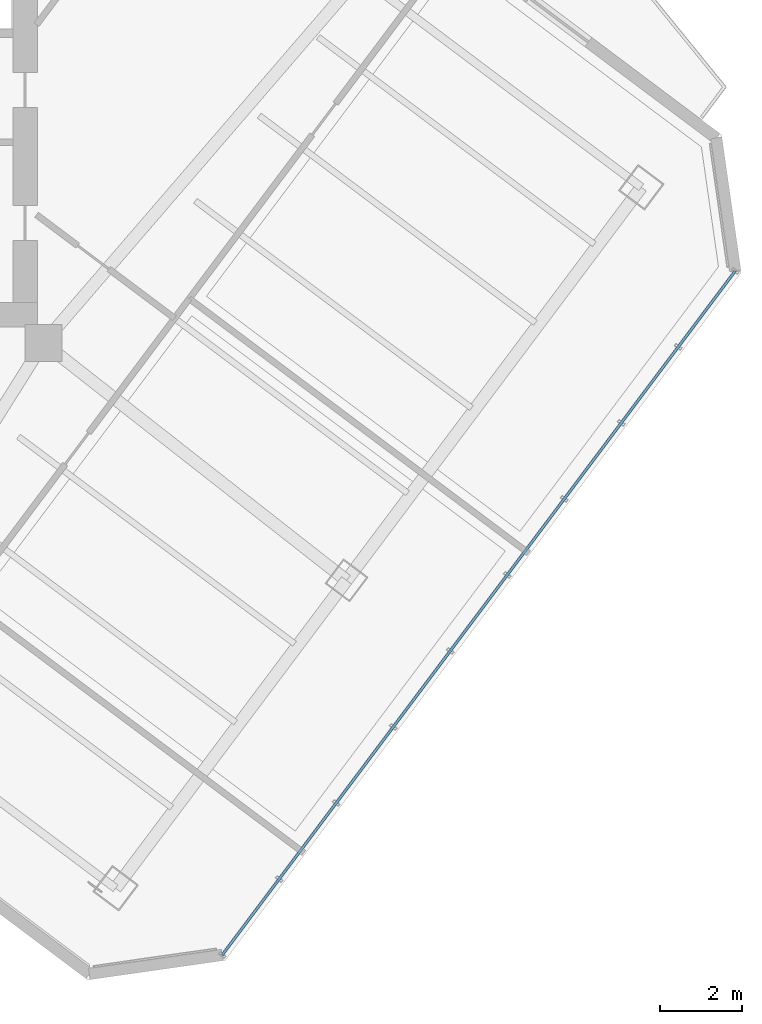
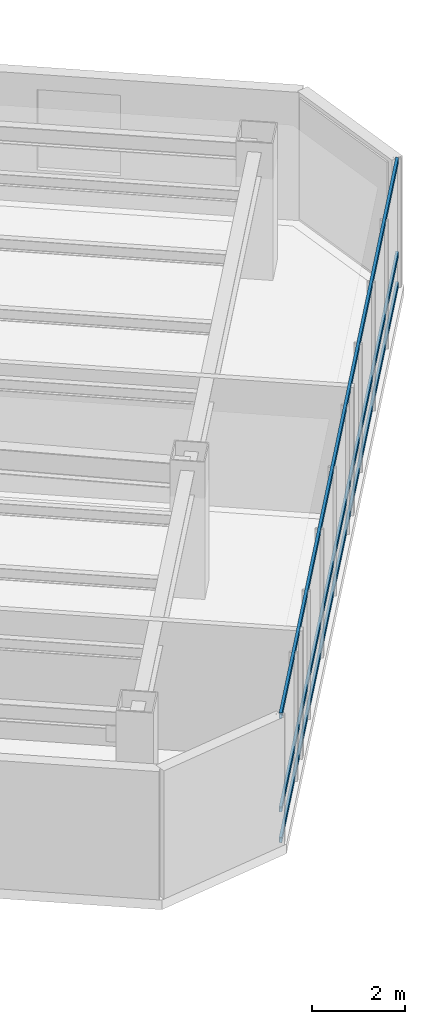
# One storey, part 12 of 27: 3 members, 1 element without a shape of its own.
"""IFC4 building model written with IfcOpenShell, lengths in metres."""

from ifc_helpers import new_model, si_unit, direction, frame, origin, origin_2d, place, context, subcontext, project, spatial, hollow_rectangle, extrude, material, layer, layer_set, material_profile, profile_set, type_object, element, aggregate, save


model = new_model("IFC4")

# Units and contexts
model_context = context("Model", 3, precision=1e-05, world=origin(), true_north=direction((0.0, 1.0)))
body_context = subcontext(model_context, "Body", "Model", "MODEL_VIEW")
ifc_project = project(units=[si_unit("LENGTHUNIT", "METRE"), si_unit("AREAUNIT", "SQUARE_METRE"), si_unit("VOLUMEUNIT", "CUBIC_METRE"), si_unit("PLANEANGLEUNIT", "RADIAN"), si_unit("MASSUNIT", "GRAM", prefix="KILO")], contexts=[model_context])

# Site, building, storey
site_placement = place(None, origin())
site = spatial("IfcSite", under=ifc_project, at=site_placement, CompositionType="ELEMENT")
building_placement = place(site_placement, origin())
building = spatial("IfcBuilding", under=site, at=building_placement, Name="Hatsunagi Terrace Concourse", CompositionType="ELEMENT")
storey_placement = place(building_placement, frame((0.0, 0.0, 174.449951171875)))
storey = spatial("IfcBuildingStorey", under=building, at=storey_placement, Name="L46", CompositionType="ELEMENT", Elevation=174.449951171875)

# Curtain wall, members
ifc_material_1 = material(Name="Anodised Aluminium Alloy 6063-T5", Category="aluminium")
ifc_layer = layer(ifc_material_1, 0.199951171875)
ifc_layer_set = layer_set([ifc_layer], Name="OfficeZone1_CW03")
curtain_wall_type = type_object("IfcCurtainWallType", Name="OfficeZone1_CW03", PredefinedType="NOTDEFINED", material=ifc_layer_set)
curtain_wall_placement = place(storey_placement, origin())
curtain_wall = element("IfcCurtainWall", 1, at=curtain_wall_placement, inside=storey, type_object=curtain_wall_type, Name="Unitised Curtain Wall CW-03 CW-L46-03", PredefinedType="NOTDEFINED")
ifc_material_2 = material(Name="Anodised Aluminium Alloy 6063-T5", Category="aluminium")
ifc_material_profile = material_profile(ifc_material_2, hollow_rectangle(XDim=0.06494140625, YDim=0.139892578125, WallThickness=0.00390625, at=origin_2d()), Name="ALU-TRN-140x65x4")
ifc_profile_set = profile_set([ifc_material_profile], Name="Anodised Aluminium Alloy 6063-T5")
member_type = type_object("IfcMemberType", Name="CurtainWallTransom_140x65", PredefinedType="USERDEFINED", material=ifc_profile_set)
member_1_placement = place(storey_placement, frame((60.693115234375, 25.9580078125, 0.050048828125), z_axis=(-0.599970072971, -0.800022444397, 0.0), x_axis=(0.800022444397, -0.599970072971, 0.0)))
member_1 = element("IfcMember", 2, at=member_1_placement, type_object=member_type, Name="Curtain Wall Transom TRN-02", ObjectType="TRANSOM", PredefinedType="USERDEFINED", context=body_context, shape_type="SweptSolid", body=[
    extrude(hollow_rectangle(XDim=0.06494140625, YDim=0.139892578125, WallThickness=0.00390625, at=origin_2d()), origin(), (0.0, 0.0, 1.0), 20.884521484375),
])
member_2_placement = place(storey_placement, frame((60.693115234375, 25.9580078125, 0.85009765625), z_axis=(-0.599970072971, -0.800022444397, 0.0), x_axis=(0.800022444397, -0.599970072971, 0.0)))
member_2 = element("IfcMember", 3, at=member_2_placement, type_object=member_type, Name="Curtain Wall Transom TRN-02", ObjectType="TRANSOM", PredefinedType="USERDEFINED", context=body_context, shape_type="SweptSolid", body=[
    extrude(hollow_rectangle(XDim=0.06494140625, YDim=0.139892578125, WallThickness=0.00390625, at=origin_2d()), origin(), (0.0, 0.0, 1.0), 20.884521484375),
])
member_3_placement = place(storey_placement, frame((60.693115234375, 25.9580078125, 3.300048828125), z_axis=(-0.599970072971, -0.800022444397, 0.0), x_axis=(0.800022444397, -0.599970072971, 0.0)))
member_3 = element("IfcMember", 4, at=member_3_placement, type_object=member_type, Name="Curtain Wall Transom TRN-02", ObjectType="TRANSOM", PredefinedType="USERDEFINED", context=body_context, shape_type="SweptSolid", body=[
    extrude(hollow_rectangle(XDim=0.06494140625, YDim=0.139892578125, WallThickness=0.00390625, at=origin_2d()), origin(), (0.0, 0.0, 1.0), 20.884521484375),
])
aggregate(curtain_wall, [member_1, member_2, member_3])

save(model, "model.ifc")
